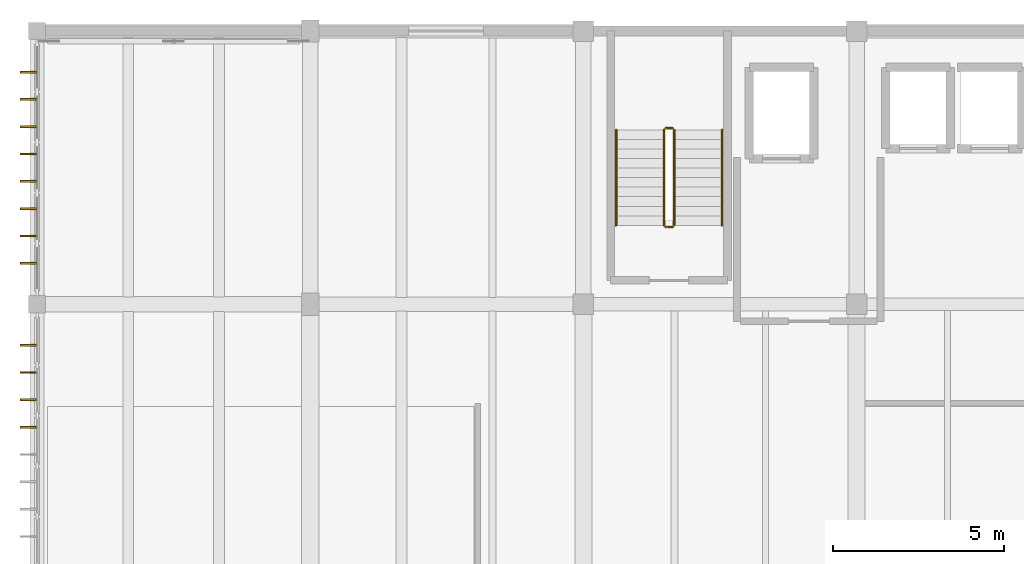
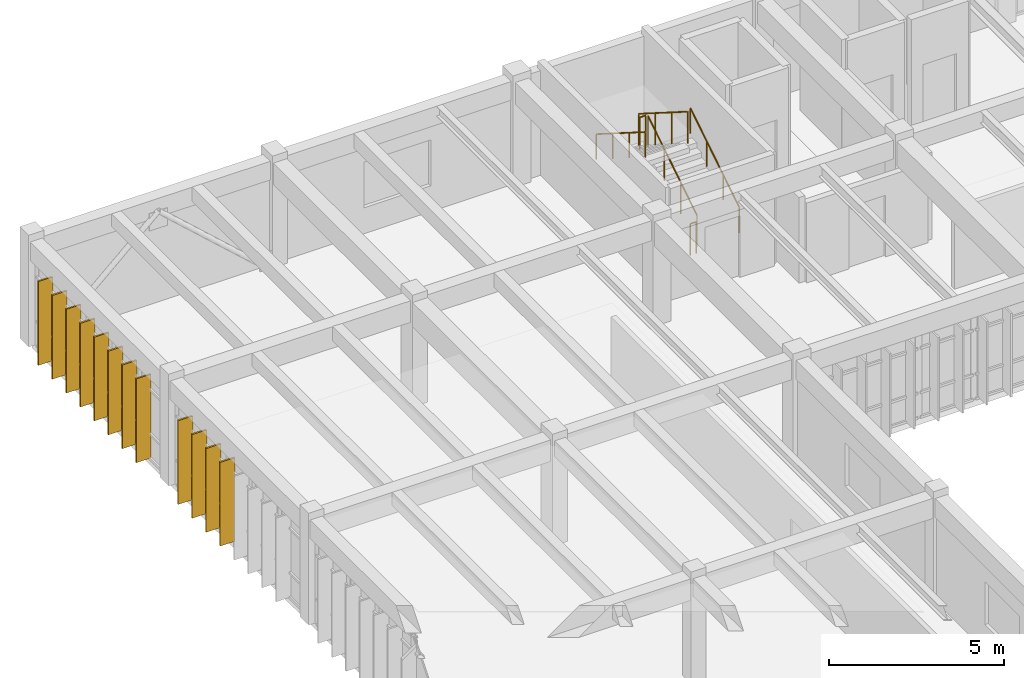
# One storey, part 20 of 22: 12 shading devices, 6 railings.
"""IFC4 building model written with IfcOpenShell, lengths in metres."""

from ifc_helpers import new_model, si_unit, direction, frame, origin, origin_2d, place, context, subcontext, project, spatial, rectangle, circle, extrude, material, layer, layer_set, type_object, element, save


model = new_model("IFC4")

# Units and contexts
model_context = context("Model", 3, precision=1e-05, world=origin(), true_north=direction((0.0, 1.0)))
body_context = subcontext(model_context, "Body", "Model", "MODEL_VIEW")
ifc_project = project(units=[si_unit("LENGTHUNIT", "METRE"), si_unit("AREAUNIT", "SQUARE_METRE"), si_unit("VOLUMEUNIT", "CUBIC_METRE"), si_unit("PLANEANGLEUNIT", "RADIAN"), si_unit("MASSUNIT", "GRAM", prefix="KILO")], contexts=[model_context])

# Site, building, storey
site_placement = place(None, origin())
site = spatial("IfcSite", under=ifc_project, at=site_placement, CompositionType="ELEMENT")
building_placement = place(site_placement, origin())
building = spatial("IfcBuilding", under=site, at=building_placement, Name="Tlaxcora Railside Police Headquarters", CompositionType="ELEMENT")
storey_placement = place(building_placement, frame((0.0, 0.0, 21.89990234375)))
storey = spatial("IfcBuildingStorey", under=building, at=storey_placement, Name="L05", CompositionType="ELEMENT", Elevation=21.89990234375)

# Shading devices
ifc_material_1 = material(Name="Anodised aluminium framing", Category="aluminium")
ifc_layer = layer(ifc_material_1, 0.054931640625, Name="Anodised aluminium framing")
ifc_layer_set = layer_set([ifc_layer], Name="Anodised aluminium framing")
shading_device_type = type_object("IfcShadingDeviceType", Name="Solar Control Fin SF-01", PredefinedType="JALOUSIE", material=ifc_layer_set)
for number, where, z_axis, x_axis, name in (
    (1, (4.93994140625, 91.60009765625, 0.0400390625), (0.0, 0.0, 1.0), (-1.0, 0.0, 0.0), "Vertical solar fin 582"),
    (2, (4.93994140625, 90.800048828125, 0.0400390625), (0.0, 0.0, 1.0), (-1.0, 0.0, 0.0), "Vertical solar fin 583"),
    (3, (4.93994140625, 90.0, 0.0400390625), (0.0, 0.0, 1.0), (-1.0, 0.0, 0.0), "Vertical solar fin 584"),
    (4, (4.93994140625, 89.199951171875, 0.0400390625), (0.0, 0.0, 1.0), (-1.0, 0.0, 0.0), "Vertical solar fin 585"),
    (5, (4.93994140625, 88.39990234375, 0.0400390625), (0.0, 0.0, 1.0), (-1.0, 0.0, 0.0), "Vertical solar fin 586"),
    (6, (4.93994140625, 87.60009765625, 0.0400390625), (0.0, 0.0, 1.0), (-1.0, 0.0, 0.0), "Vertical solar fin 587"),
    (7, (4.93994140625, 86.800048828125, 0.0400390625), (0.0, 0.0, 1.0), (-1.0, 0.0, 0.0), "Vertical solar fin 588"),
    (8, (4.93994140625, 86.0, 0.0400390625), (0.0, 0.0, 1.0), (-1.0, 0.0, 0.0), "Vertical solar fin 589"),
    (9, (4.93994140625, 83.60009765625, 0.0400390625), (0.0, 0.0, 1.0), (-1.0, 0.0, 0.0), "Vertical solar fin 590"),
    (10, (4.93994140625, 82.800048828125, 0.0400390625), (0.0, 0.0, 1.0), (-1.0, 0.0, 0.0), "Vertical solar fin 591"),
    (11, (4.93994140625, 82.0, 0.0400390625), (0.0, 0.0, 1.0), (-1.0, 0.0, 0.0), "Vertical solar fin 592"),
    (12, (4.93994140625, 81.199951171875, 0.0400390625), (0.0, 0.0, 1.0), (-1.0, 0.0, 0.0), "Vertical solar fin 593"),
):
    element("IfcShadingDevice", number, at=place(storey_placement, frame(where, z_axis=z_axis, x_axis=x_axis)), inside=storey, type_object=shading_device_type, Name=name, PredefinedType="JALOUSIE", context=body_context, shape_type="SweptSolid", body=[
        extrude(rectangle(XDim=0.47998046875, YDim=0.054931640625, at=origin_2d()), origin(), (0.0, 0.0, 1.0), 2.919921875),
    ])

# Railings
ifc_material_2 = material(Name="Steel ASTM A992 Grade 50", Category="steel")
railing_type_1 = type_object("IfcRailingType", Name="Stair Well Guard Balustrade GR-02", PredefinedType="BALUSTRADE", material=ifc_material_2)
railing_1_placement = place(storey_placement, frame((23.860107421875, 87.110107421875, 0.177490234375)))
element("IfcRailing", 13, at=railing_1_placement, inside=storey, type_object=railing_type_1, Name="L05 ST1 stair guard 1", PredefinedType="BALUSTRADE", context=body_context, shape_type="SweptSolid", body=[
    extrude(circle(Radius=0.02392578125, at=origin_2d()), frame((0.0, 0.0, 1.09619140625), z_axis=(0.0, 0.844887892834, 0.53494340686), x_axis=(-1.0, 0.0, 0.0)), (0.0, 0.0, 1.0), 3.313720703125),
    extrude(circle(Radius=0.02099609375, at=origin_2d()), origin(), (0.0, 0.0, 1.0), 1.072021484375),
    extrude(circle(Radius=0.02099609375, at=origin_2d()), frame((0.0, 0.933349609375, 0.5908203125)), (0.0, 0.0, 1.0), 1.072021484375),
    extrude(circle(Radius=0.02099609375, at=origin_2d()), frame((0.0, 1.866455078125, 1.181884765625)), (0.0, 0.0, 1.0), 1.072021484375),
    extrude(circle(Radius=0.02099609375, at=origin_2d()), frame((0.0, 2.7998046875, 1.772705078125)), (0.0, 0.0, 1.0), 1.072021484375),
])
railing_2_placement = place(storey_placement, frame((23.81005859375, 89.9599609375, 1.9501953125)))
element("IfcRailing", 14, at=railing_2_placement, inside=storey, type_object=railing_type_1, Name="L05 ST1 stair guard 2", PredefinedType="BALUSTRADE", context=body_context, shape_type="SweptSolid", body=[
    extrude(circle(Radius=0.02392578125, at=origin_2d()), frame((0.0, 0.0, 1.09619140625), z_axis=(-1.0, 0.0, 0.0), x_axis=(0.0, -1.0, 0.0)), (0.0, 0.0, 1.0), 0.199951171875),
    extrude(circle(Radius=0.02099609375, at=origin_2d()), origin(), (0.0, 0.0, 1.0), 1.072021484375),
    extrude(circle(Radius=0.02099609375, at=origin_2d()), frame((-0.199951171875, 0.0, 0.0)), (0.0, 0.0, 1.0), 1.072021484375),
])
railing_3_placement = place(storey_placement, frame((23.56005859375, 89.909912109375, 2.12744140625)))
element("IfcRailing", 15, at=railing_3_placement, inside=storey, type_object=railing_type_1, Name="L05 ST1 stair guard 3", PredefinedType="BALUSTRADE", context=body_context, shape_type="SweptSolid", body=[
    extrude(circle(Radius=0.02392578125, at=origin_2d()), frame((0.0, 0.0, 1.09619140625), z_axis=(0.0, -0.844887892834, 0.53494340686), x_axis=(1.0, 0.0, 0.0)), (0.0, 0.0, 1.0), 3.313720703125),
    extrude(circle(Radius=0.02099609375, at=origin_2d()), origin(), (0.0, 0.0, 1.0), 1.072021484375),
    extrude(circle(Radius=0.02099609375, at=origin_2d()), frame((0.0, -0.933349609375, 0.5908203125)), (0.0, 0.0, 1.0), 1.072021484375),
    extrude(circle(Radius=0.02099609375, at=origin_2d()), frame((0.0, -1.866455078125, 1.181884765625)), (0.0, 0.0, 1.0), 1.072021484375),
    extrude(circle(Radius=0.02099609375, at=origin_2d()), frame((0.0, -2.7998046875, 1.772705078125)), (0.0, 0.0, 1.0), 1.072021484375),
])
railing_4_placement = place(storey_placement, frame((23.81005859375, 87.06005859375, 0.0)))
element("IfcRailing", 16, at=railing_4_placement, inside=storey, type_object=railing_type_1, Name="L05 ST1 stair guard 4", PredefinedType="BALUSTRADE", context=body_context, shape_type="SweptSolid", body=[
    extrude(circle(Radius=0.02392578125, at=origin_2d()), frame((0.0, 0.0, 1.09619140625), z_axis=(-1.0, 0.0, 0.0), x_axis=(0.0, -1.0, 0.0)), (0.0, 0.0, 1.0), 0.199951171875),
    extrude(circle(Radius=0.02099609375, at=origin_2d()), origin(), (0.0, 0.0, 1.0), 1.072021484375),
    extrude(circle(Radius=0.02099609375, at=origin_2d()), frame((-0.199951171875, 0.0, 0.0)), (0.0, 0.0, 1.0), 1.072021484375),
])
railing_type_2 = type_object("IfcRailingType", Name="Stair and Ramp Handrail HR-01", PredefinedType="HANDRAIL", material=ifc_material_2)
railing_5_placement = place(storey_placement, frame((25.260009765625, 87.110107421875, 0.177490234375)))
element("IfcRailing", 17, at=railing_5_placement, inside=storey, type_object=railing_type_2, Name="L05 ST1 stair handrail 1", PredefinedType="HANDRAIL", context=body_context, shape_type="SweptSolid", body=[
    extrude(circle(Radius=0.02392578125, at=origin_2d()), frame((0.0, 0.0, 0.8759765625), z_axis=(0.0, 0.844887892834, 0.53494340686), x_axis=(-1.0, 0.0, 0.0)), (0.0, 0.0, 1.0), 3.313720703125),
    extrude(circle(Radius=0.02099609375, at=origin_2d()), origin(), (0.0, 0.0, 1.0), 0.851806640625),
    extrude(circle(Radius=0.02099609375, at=origin_2d()), frame((0.0, 0.933349609375, 0.5908203125)), (0.0, 0.0, 1.0), 0.851806640625),
    extrude(circle(Radius=0.02099609375, at=origin_2d()), frame((0.0, 1.866455078125, 1.181884765625)), (0.0, 0.0, 1.0), 0.851806640625),
    extrude(circle(Radius=0.02099609375, at=origin_2d()), frame((0.0, 2.7998046875, 1.772705078125)), (0.0, 0.0, 1.0), 0.851806640625),
])
railing_6_placement = place(storey_placement, frame((22.159912109375, 89.909912109375, 2.12744140625)))
element("IfcRailing", 18, at=railing_6_placement, inside=storey, type_object=railing_type_2, Name="L05 ST1 stair handrail 2", PredefinedType="HANDRAIL", context=body_context, shape_type="SweptSolid", body=[
    extrude(circle(Radius=0.02392578125, at=origin_2d()), frame((0.0, 0.0, 0.8759765625), z_axis=(0.0, -0.844887892834, 0.53494340686), x_axis=(1.0, 0.0, 0.0)), (0.0, 0.0, 1.0), 3.313720703125),
    extrude(circle(Radius=0.02099609375, at=origin_2d()), origin(), (0.0, 0.0, 1.0), 0.851806640625),
    extrude(circle(Radius=0.02099609375, at=origin_2d()), frame((0.0, -0.933349609375, 0.5908203125)), (0.0, 0.0, 1.0), 0.851806640625),
    extrude(circle(Radius=0.02099609375, at=origin_2d()), frame((0.0, -1.866455078125, 1.181884765625)), (0.0, 0.0, 1.0), 0.851806640625),
    extrude(circle(Radius=0.02099609375, at=origin_2d()), frame((0.0, -2.7998046875, 1.772705078125)), (0.0, 0.0, 1.0), 0.851806640625),
])

save(model, "model.ifc")
